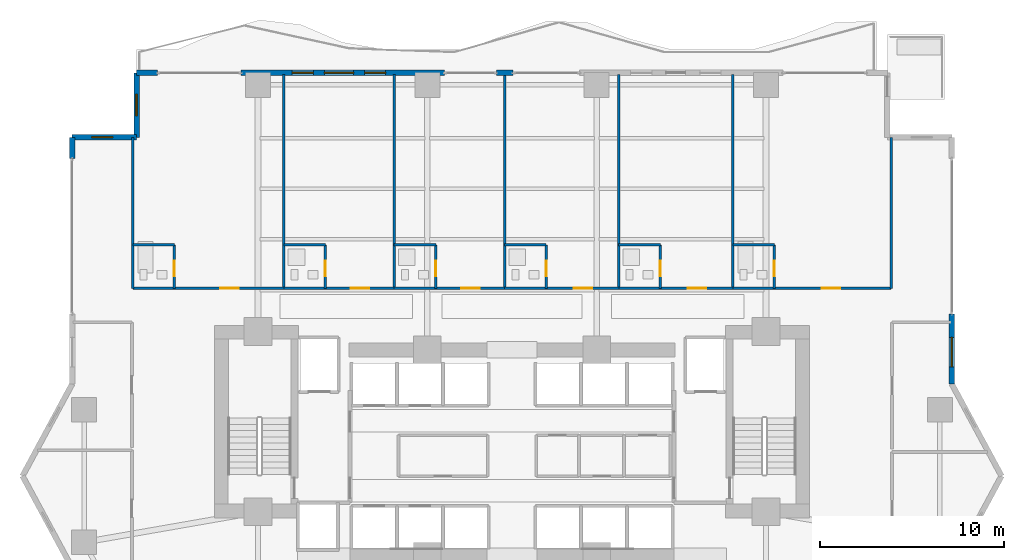
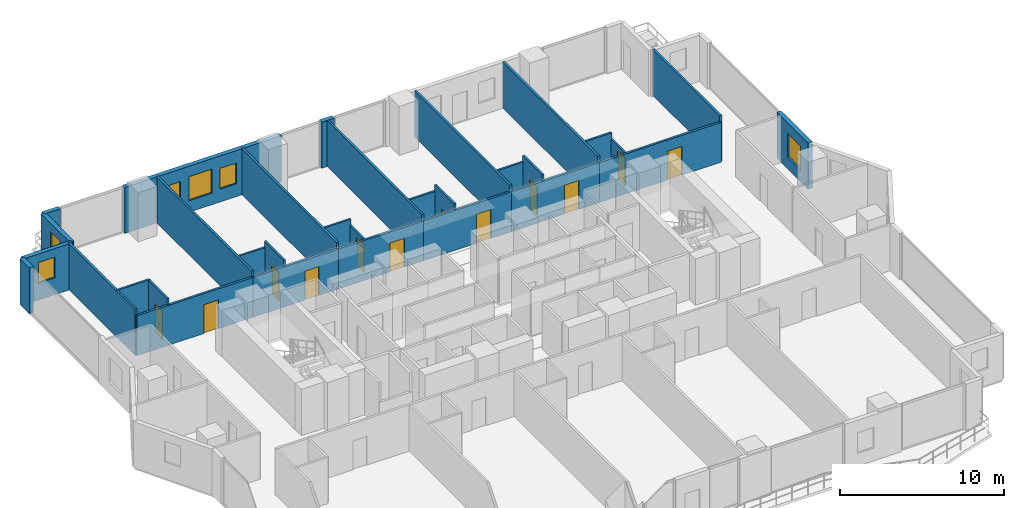
# One storey, part 23 of 28: 32 walls, 12 doors, 6 windows, 18 openings.
"""IFC4 building model written with IfcOpenShell, lengths in metres."""

from ifc_helpers import new_model, si_unit, direction, frame, frame_2d, origin, place, context, subcontext, project, spatial, rectangle, extrude, material, layer, layer_set, type_object, element, fill, save


model = new_model("IFC4")

# Units and contexts
model_context = context("Model", 3, precision=1e-05, world=origin(), true_north=direction((0.0, 1.0)))
body_context = subcontext(model_context, "Body", "Model", "MODEL_VIEW")
ifc_project = project(units=[si_unit("LENGTHUNIT", "METRE"), si_unit("AREAUNIT", "SQUARE_METRE"), si_unit("VOLUMEUNIT", "CUBIC_METRE"), si_unit("PLANEANGLEUNIT", "RADIAN"), si_unit("MASSUNIT", "GRAM", prefix="KILO")], contexts=[model_context])

# Site, building, storey
site_placement = place(None, origin())
site = spatial("IfcSite", under=ifc_project, at=site_placement, CompositionType="ELEMENT")
building_placement = place(site_placement, origin())
building = spatial("IfcBuilding", under=site, at=building_placement, Name="Zuhayl Quay Hotel", CompositionType="ELEMENT")
storey_placement = place(building_placement, frame((0.0, 0.0, 99.300048828125)))
storey = spatial("IfcBuildingStorey", under=building, at=storey_placement, Name="L24", CompositionType="ELEMENT", Elevation=99.300048828125)

# Wall
ifc_material_1 = material(Name="Precast concrete C45/55", Category="concrete")
ifc_layer_1 = layer(ifc_material_1, 0.300048828125, Name="Precast concrete C45/55", Category="concrete")
ifc_layer_set_1 = layer_set([ifc_layer_1], Name="Precast concrete C45/55")
wall_type_1 = type_object("IfcWallType", Name="WL_EXT_300", PredefinedType="STANDARD", material=ifc_layer_set_1)
wall_1_placement = place(storey_placement, frame((-23.89990234375, 23.75, 0.0), z_axis=(0.0, 0.0, 1.0), x_axis=(0.0, 1.0, 0.0)))
element("IfcWall", 1, at=wall_1_placement, inside=storey, type_object=wall_type_1, Name="L24 Exterior Precast Wall ENV_L24_E05_EW2", PredefinedType="STANDARD", context=body_context, shape_type="SweptSolid", body=[
    extrude(rectangle(XDim=1.14990234375, YDim=0.300048828125, at=frame_2d((0.574951171875, 0.0))), origin(), (0.0, 0.0, 1.0), 3.429931640625),
])

# Wall, opening, window
wall_2_placement = place(storey_placement, frame((-23.89990234375, 24.89990234375, 0.0), z_axis=(0.0, 0.0, 1.0), x_axis=(1.0, 0.0, 0.0)))
wall_2 = element("IfcWall", 2, at=wall_2_placement, inside=storey, type_object=wall_type_1, Name="L24 Exterior Precast Wall ENV_L24_EW06", PredefinedType="STANDARD", context=body_context, shape_type="SweptSolid", body=[
    extrude(rectangle(XDim=3.5, YDim=0.300048828125, at=frame_2d((1.75, 0.0))), origin(), (0.0, 0.0, 1.0), 3.429931640625),
])
opening_1_placement = place(wall_2_placement, frame((1.06494140625, 0.0, 1.25)))
opening_1 = element("IfcOpeningElement", 3, at=opening_1_placement, cuts=wall_2, Name="Opening W01N", PredefinedType="OPENING", context=body_context, shape_type="SweptSolid", body=[
    extrude(rectangle(XDim=1.14990234375, YDim=1.550048828125, at=frame_2d((0.574951171875, 0.77490234375))), frame((0.0, 0.159912109375, 0.0), z_axis=(0.0, -1.0, 0.0), x_axis=(1.0, 0.0, 0.0)), (0.0, 0.0, 1.0), 0.320068359375),
])
ifc_material_2 = material(Name="Dark Ceramic-Fritted Solar Glass", Category="glass")
window_type_1 = type_object("IfcWindowType", Name="WN_NOTCH_1350", PartitioningType="SINGLE_PANEL", PredefinedType="WINDOW", material=ifc_material_2)
window_1_placement = place(opening_1_placement, origin())
window_1 = element("IfcWindow", 4, at=window_1_placement, inside=storey, type_object=window_type_1, Name="L24 Corner Notch Window 6", OverallHeight=1.550048828125, OverallWidth=1.14990234375, PartitioningType="SINGLE_PANEL", PredefinedType="WINDOW", context=body_context, shape_type="SweptSolid", body=[
    extrude(rectangle(XDim=1.14990234375, YDim=1.550048828125, at=frame_2d((0.574951171875, 0.77490234375))), frame((0.0, 0.030029296875, 0.0), z_axis=(0.0, -1.0, 0.0), x_axis=(1.0, 0.0, 0.0)), (0.0, 0.0, 1.0), 0.06005859375),
])
fill(opening_1, window_1)

wall_3_placement = place(storey_placement, frame((-20.39990234375, 24.89990234375, 0.0), z_axis=(0.0, 0.0, 1.0), x_axis=(0.0, 1.0, 0.0)))
wall_3 = element("IfcWall", 5, at=wall_3_placement, inside=storey, type_object=wall_type_1, Name="L24 Exterior Precast Wall ENV_L24_EW07", PredefinedType="STANDARD", context=body_context, shape_type="SweptSolid", body=[
    extrude(rectangle(XDim=3.5, YDim=0.300048828125, at=frame_2d((1.75, 0.0))), origin(), (0.0, 0.0, 1.0), 3.429931640625),
])
opening_2_placement = place(wall_3_placement, frame((1.18505859375, 0.0, 1.25)))
opening_2 = element("IfcOpeningElement", 6, at=opening_2_placement, cuts=wall_3, Name="Opening W01N", PredefinedType="OPENING", context=body_context, shape_type="SweptSolid", body=[
    extrude(rectangle(XDim=1.14990234375, YDim=1.550048828125, at=frame_2d((0.574951171875, 0.77490234375))), frame((0.0, 0.159912109375, 0.0), z_axis=(0.0, -1.0, 0.0), x_axis=(1.0, 0.0, 0.0)), (0.0, 0.0, 1.0), 0.320068359375),
])
window_2_placement = place(opening_2_placement, origin())
window_2 = element("IfcWindow", 7, at=window_2_placement, inside=storey, type_object=window_type_1, Name="L24 Corner Notch Window 7", OverallHeight=1.550048828125, OverallWidth=1.14990234375, PartitioningType="SINGLE_PANEL", PredefinedType="WINDOW", context=body_context, shape_type="SweptSolid", body=[
    extrude(rectangle(XDim=1.14990234375, YDim=1.550048828125, at=frame_2d((0.574951171875, 0.77490234375))), frame((0.0, 0.030029296875, 0.0), z_axis=(0.0, -1.0, 0.0), x_axis=(1.0, 0.0, 0.0)), (0.0, 0.0, 1.0), 0.06005859375),
])
fill(opening_2, window_2)

# Wall
wall_4_placement = place(storey_placement, frame((-20.39990234375, 28.39990234375, 0.0), z_axis=(0.0, 0.0, 1.0), x_axis=(1.0, 0.0, 0.0)))
element("IfcWall", 8, at=wall_4_placement, inside=storey, type_object=wall_type_1, Name="L24 Exterior Precast Wall ENV_L24_N_EW1", PredefinedType="STANDARD", context=body_context, shape_type="SweptSolid", body=[
    extrude(rectangle(XDim=1.14990234375, YDim=0.300048828125, at=frame_2d((0.574951171875, 0.0))), origin(), (0.0, 0.0, 1.0), 3.429931640625),
])

# Wall, openings, windows
wall_5_placement = place(storey_placement, frame((-14.719970703125, 28.39990234375, 0.0), z_axis=(0.0, 0.0, 1.0), x_axis=(1.0, 0.0, 0.0)))
wall_5 = element("IfcWall", 9, at=wall_5_placement, inside=storey, type_object=wall_type_1, Name="L24 Exterior Precast Wall ENV_L24_N_EW2", PredefinedType="STANDARD", context=body_context, shape_type="SweptSolid", body=[
    extrude(rectangle(XDim=11.0400390625, YDim=0.300048828125, at=frame_2d((5.52001953125, 0.0))), origin(), (0.0, 0.0, 1.0), 3.429931640625),
])
opening_3_placement = place(wall_5_placement, frame((4.52001953125, 0.0, 0.85009765625)))
opening_3 = element("IfcOpeningElement", 10, at=opening_3_placement, cuts=wall_5, Name="Opening W01", PredefinedType="OPENING", context=body_context, shape_type="SweptSolid", body=[
    extrude(rectangle(XDim=1.60009765625, YDim=1.800048828125, at=frame_2d((0.800048828125, 0.89990234375))), frame((0.0, 0.159912109375, 0.0), z_axis=(0.0, -1.0, 0.0), x_axis=(1.0, 0.0, 0.0)), (0.0, 0.0, 1.0), 0.320068359375),
])
opening_4_placement = place(wall_5_placement, frame((2.780029296875, 0.0, 0.949951171875)))
opening_4 = element("IfcOpeningElement", 11, at=opening_4_placement, cuts=wall_5, Name="Opening W01N", PredefinedType="OPENING", context=body_context, shape_type="SweptSolid", body=[
    extrude(rectangle(XDim=1.14990234375, YDim=1.550048828125, at=frame_2d((0.574951171875, 0.77490234375))), frame((0.0, 0.159912109375, 0.0), z_axis=(0.0, -1.0, 0.0), x_axis=(1.0, 0.0, 0.0)), (0.0, 0.0, 1.0), 0.320068359375),
])
opening_5_placement = place(wall_5_placement, frame((6.7099609375, 0.0, 0.949951171875)))
opening_5 = element("IfcOpeningElement", 12, at=opening_5_placement, cuts=wall_5, Name="Opening W01N", PredefinedType="OPENING", context=body_context, shape_type="SweptSolid", body=[
    extrude(rectangle(XDim=1.14990234375, YDim=1.550048828125, at=frame_2d((0.574951171875, 0.77490234375))), frame((0.0, 0.159912109375, 0.0), z_axis=(0.0, -1.0, 0.0), x_axis=(1.0, 0.0, 0.0)), (0.0, 0.0, 1.0), 0.320068359375),
])
window_3_placement = place(opening_4_placement, origin())
window_3 = element("IfcWindow", 13, at=window_3_placement, inside=storey, type_object=window_type_1, Name="L24 Operable Facade Window 2-1", OverallHeight=1.550048828125, OverallWidth=1.14990234375, PartitioningType="SINGLE_PANEL", PredefinedType="WINDOW", context=body_context, shape_type="SweptSolid", body=[
    extrude(rectangle(XDim=1.14990234375, YDim=1.550048828125, at=frame_2d((0.574951171875, 0.77490234375))), frame((0.0, 0.030029296875, 0.0), z_axis=(0.0, -1.0, 0.0), x_axis=(1.0, 0.0, 0.0)), (0.0, 0.0, 1.0), 0.06005859375),
])
fill(opening_4, window_3)
window_4_placement = place(opening_5_placement, origin())
window_4 = element("IfcWindow", 14, at=window_4_placement, inside=storey, type_object=window_type_1, Name="L24 Operable Facade Window 2-2", OverallHeight=1.550048828125, OverallWidth=1.14990234375, PartitioningType="SINGLE_PANEL", PredefinedType="WINDOW", context=body_context, shape_type="SweptSolid", body=[
    extrude(rectangle(XDim=1.14990234375, YDim=1.550048828125, at=frame_2d((0.574951171875, 0.77490234375))), frame((0.0, 0.030029296875, 0.0), z_axis=(0.0, -1.0, 0.0), x_axis=(1.0, 0.0, 0.0)), (0.0, 0.0, 1.0), 0.06005859375),
])
fill(opening_5, window_4)
window_type_2 = type_object("IfcWindowType", Name="WN_OPERABLE_1600", PartitioningType="DOUBLE_PANEL_VERTICAL", PredefinedType="WINDOW", material=ifc_material_2)
window_5_placement = place(opening_3_placement, origin())
window_5 = element("IfcWindow", 15, at=window_5_placement, inside=storey, type_object=window_type_2, Name="L24 North Operable Casement Window", OverallHeight=1.800048828125, OverallWidth=1.60009765625, PartitioningType="SINGLE_PANEL", PredefinedType="WINDOW", context=body_context, shape_type="SweptSolid", body=[
    extrude(rectangle(XDim=1.60009765625, YDim=1.800048828125, at=frame_2d((0.800048828125, 0.89990234375))), frame((0.0, 0.030029296875, 0.0), z_axis=(0.0, -1.0, 0.0), x_axis=(1.0, 0.0, 0.0)), (0.0, 0.0, 1.0), 0.06005859375),
])
fill(opening_3, window_5)

# Wall
wall_6_placement = place(storey_placement, frame((-0.85009765625, 28.39990234375, 0.0), z_axis=(0.0, 0.0, 1.0), x_axis=(1.0, 0.0, 0.0)))
element("IfcWall", 16, at=wall_6_placement, inside=storey, type_object=wall_type_1, Name="L24 Exterior Precast Wall ENV_L24_N_EW3", PredefinedType="STANDARD", context=body_context, shape_type="SweptSolid", body=[
    extrude(rectangle(XDim=0.900146484375, YDim=0.300048828125, at=frame_2d((0.4501953125, 0.0))), origin(), (0.0, 0.0, 1.0), 3.429931640625),
])

# Wall, opening, window
wall_7_placement = place(storey_placement, frame((23.89990234375, 15.300048828125, 0.0), z_axis=(0.0, 0.0, 1.0), x_axis=(0.0, -1.0, 0.0)))
wall_7 = element("IfcWall", 17, at=wall_7_placement, inside=storey, type_object=wall_type_1, Name="L24 Exterior Precast Wall ENV_L24_E11_EW2", PredefinedType="STANDARD", context=body_context, shape_type="SweptSolid", body=[
    extrude(rectangle(XDim=3.800048828125, YDim=0.300048828125, at=frame_2d((1.89990234375, 0.0))), origin(), (0.0, 0.0, 1.0), 3.429931640625),
])
opening_6_placement = place(wall_7_placement, frame((1.264892578125, 0.0, 0.85009765625)))
opening_6 = element("IfcOpeningElement", 18, at=opening_6_placement, cuts=wall_7, Name="Opening W01", PredefinedType="OPENING", context=body_context, shape_type="SweptSolid", body=[
    extrude(rectangle(XDim=1.60009765625, YDim=1.800048828125, at=frame_2d((0.800048828125, 0.89990234375))), frame((0.0, 0.159912109375, 0.0), z_axis=(0.0, -1.0, 0.0), x_axis=(1.0, 0.0, 0.0)), (0.0, 0.0, 1.0), 0.320068359375),
])
window_6_placement = place(opening_6_placement, origin())
window_6 = element("IfcWindow", 19, at=window_6_placement, inside=storey, type_object=window_type_2, Name="L24 Operable Facade Window 2-1", OverallHeight=1.800048828125, OverallWidth=1.60009765625, PartitioningType="SINGLE_PANEL", PredefinedType="WINDOW", context=body_context, shape_type="SweptSolid", body=[
    extrude(rectangle(XDim=1.60009765625, YDim=1.800048828125, at=frame_2d((0.800048828125, 0.89990234375))), frame((0.0, 0.030029296875, 0.0), z_axis=(0.0, -1.0, 0.0), x_axis=(1.0, 0.0, 0.0)), (0.0, 0.0, 1.0), 0.06005859375),
])
fill(opening_6, window_6)

# Walls
ifc_material_3 = material(Name="Acoustic Gypsum Partition STC-58")
ifc_layer_2 = layer(ifc_material_3, 0.14990234375, Name="Acoustic Gypsum Partition STC-58")
ifc_layer_set_2 = layer_set([ifc_layer_2], Name="Acoustic Gypsum Partition STC-58")
wall_type_2 = type_object("IfcWallType", Name="WL_PART_150", PredefinedType="PARTITIONING", material=ifc_layer_set_2)
wall_8_placement = place(storey_placement, frame((-20.60009765625, 16.699951171875, 0.0), z_axis=(0.0, 0.0, 1.0), x_axis=(0.0, 1.0, 0.0)))
element("IfcWall", 20, at=wall_8_placement, inside=storey, type_object=wall_type_2, Name="L24 Partition IW_L24_NU01_W", PredefinedType="PARTITIONING", context=body_context, shape_type="SweptSolid", body=[
    extrude(rectangle(XDim=8.199951171875, YDim=0.14990234375, at=frame_2d((4.10009765625, 0.0))), origin(), (0.0, 0.0, 1.0), 3.429931640625),
])
for number, where, z_axis, x_axis, name in (
    (21, (-12.39990234375, 16.699951171875, 0.0), (0.0, 0.0, 1.0), (0.0, 1.0, 0.0), "L24 Partition IW_L24_NU01_E"),
    (22, (-6.39990234375, 16.699951171875, 0.0), (0.0, 0.0, 1.0), (0.0, 1.0, 0.0), "L24 Partition IW_L24_NU02_E"),
    (23, (-0.39990234375, 16.699951171875, 0.0), (0.0, 0.0, 1.0), (0.0, 1.0, 0.0), "L24 Partition IW_L24_NU03_E"),
    (24, (5.800048828125, 16.699951171875, 0.0), (0.0, 0.0, 1.0), (0.0, 1.0, 0.0), "L24 Partition IW_L24_NU04_E"),
    (25, (12.0, 16.699951171875, 0.0), (0.0, 0.0, 1.0), (0.0, 1.0, 0.0), "L24 Partition IW_L24_NU05_E"),
):
    element("IfcWall", number, at=place(storey_placement, frame(where, z_axis=z_axis, x_axis=x_axis)), inside=storey, type_object=wall_type_2, Name=name, PredefinedType="PARTITIONING", context=body_context, shape_type="SweptSolid", body=[
        extrude(rectangle(XDim=11.6201171875, YDim=0.14990234375, at=frame_2d((5.81005859375, 0.0))), origin(), (0.0, 0.0, 1.0), 3.429931640625),
    ])
wall_9_placement = place(storey_placement, frame((20.60009765625, 16.699951171875, 0.0), z_axis=(0.0, 0.0, 1.0), x_axis=(0.0, 1.0, 0.0)))
element("IfcWall", 26, at=wall_9_placement, inside=storey, type_object=wall_type_2, Name="L24 Partition IW_L24_NU06_E", PredefinedType="PARTITIONING", context=body_context, shape_type="SweptSolid", body=[
    extrude(rectangle(XDim=8.199951171875, YDim=0.14990234375, at=frame_2d((4.10009765625, 0.0))), origin(), (0.0, 0.0, 1.0), 3.429931640625),
])

# Wall, opening, door
ifc_layer_3 = layer(ifc_material_3, 0.159912109375, Name="Acoustic Gypsum Partition STC-58")
ifc_layer_set_3 = layer_set([ifc_layer_3], Name="Acoustic Gypsum Partition STC-58")
wall_type_3 = type_object("IfcWallType", Name="WL_PART_CORR_160", PredefinedType="PARTITIONING", material=ifc_layer_set_3)
wall_10_placement = place(storey_placement, frame((-20.60009765625, 16.699951171875, 0.0), z_axis=(0.0, 0.0, 1.0), x_axis=(1.0, 0.0, 0.0)))
wall_10 = element("IfcWall", 27, at=wall_10_placement, inside=storey, type_object=wall_type_3, Name="L24 Partition IW_L24_NU01_COR", PredefinedType="PARTITIONING", context=body_context, shape_type="SweptSolid", body=[
    extrude(rectangle(XDim=8.2001953125, YDim=0.159912109375, at=frame_2d((4.10009765625, 0.0))), origin(), (0.0, 0.0, 1.0), 2.972900390625),
])
opening_7_placement = place(wall_10_placement, frame((4.75, 0.0, 0.0)))
opening_7 = element("IfcOpeningElement", 28, at=opening_7_placement, cuts=wall_10, Name="Opening D03L", PredefinedType="OPENING", context=body_context, shape_type="SweptSolid", body=[
    extrude(rectangle(XDim=1.0, YDim=2.14990234375, at=frame_2d((0.5, 1.074951171875))), frame((0.0, 0.08984375, 0.0), z_axis=(0.0, -1.0, 0.0), x_axis=(1.0, 0.0, 0.0)), (0.0, 0.0, 1.0), 0.179931640625),
])
ifc_material_4 = material(Name="Solid Walnut Acoustic Fire Door")
door_type_1 = type_object("IfcDoorType", Name="DR_SUITE_1000", OperationType="NOTDEFINED", PredefinedType="DOOR", material=ifc_material_4)
door_1_placement = place(opening_7_placement, origin())
door_1 = element("IfcDoor", 29, at=door_1_placement, inside=storey, type_object=door_type_1, Name="L24 Executive Suite L24-01 Entrance Door", OperationType="SINGLE_SWING_LEFT", OverallHeight=2.14990234375, OverallWidth=1.0, PredefinedType="DOOR", context=body_context, shape_type="SweptSolid", body=[
    extrude(rectangle(XDim=1.0, YDim=2.14990234375, at=frame_2d((0.5, 1.074951171875))), frame((0.0, 0.02490234375, 0.0), z_axis=(0.0, -1.0, 0.0), x_axis=(1.0, 0.0, 0.0)), (0.0, 0.0, 1.0), 0.050048828125),
])
fill(opening_7, door_1)

wall_11_placement = place(storey_placement, frame((-12.39990234375, 16.699951171875, 0.0), z_axis=(0.0, 0.0, 1.0), x_axis=(1.0, 0.0, 0.0)))
wall_11 = element("IfcWall", 30, at=wall_11_placement, inside=storey, type_object=wall_type_3, Name="L24 Partition IW_L24_NU02_COR", PredefinedType="PARTITIONING", context=body_context, shape_type="SweptSolid", body=[
    extrude(rectangle(XDim=6.0, YDim=0.159912109375, at=frame_2d((3.0, 0.0))), origin(), (0.0, 0.0, 1.0), 2.972900390625),
])
opening_8_placement = place(wall_11_placement, frame((3.64990234375, 0.0, 0.0)))
opening_8 = element("IfcOpeningElement", 31, at=opening_8_placement, cuts=wall_11, Name="Opening D03L", PredefinedType="OPENING", context=body_context, shape_type="SweptSolid", body=[
    extrude(rectangle(XDim=1.0, YDim=2.14990234375, at=frame_2d((0.5, 1.074951171875))), frame((0.0, 0.08984375, 0.0), z_axis=(0.0, -1.0, 0.0), x_axis=(1.0, 0.0, 0.0)), (0.0, 0.0, 1.0), 0.179931640625),
])
door_2_placement = place(opening_8_placement, origin())
door_2 = element("IfcDoor", 32, at=door_2_placement, inside=storey, type_object=door_type_1, Name="L24 Executive Suite L24-02 Entrance Door", OperationType="SINGLE_SWING_LEFT", OverallHeight=2.14990234375, OverallWidth=1.0, PredefinedType="DOOR", context=body_context, shape_type="SweptSolid", body=[
    extrude(rectangle(XDim=1.0, YDim=2.14990234375, at=frame_2d((0.5, 1.074951171875))), frame((0.0, 0.02490234375, 0.0), z_axis=(0.0, -1.0, 0.0), x_axis=(1.0, 0.0, 0.0)), (0.0, 0.0, 1.0), 0.050048828125),
])
fill(opening_8, door_2)

wall_12_placement = place(storey_placement, frame((-6.39990234375, 16.699951171875, 0.0), z_axis=(0.0, 0.0, 1.0), x_axis=(1.0, 0.0, 0.0)))
wall_12 = element("IfcWall", 33, at=wall_12_placement, inside=storey, type_object=wall_type_3, Name="L24 Partition IW_L24_NU03_COR", PredefinedType="PARTITIONING", context=body_context, shape_type="SweptSolid", body=[
    extrude(rectangle(XDim=6.0, YDim=0.159912109375, at=frame_2d((3.0, 0.0))), origin(), (0.0, 0.0, 1.0), 2.972900390625),
])
opening_9_placement = place(wall_12_placement, frame((3.64990234375, 0.0, 0.0)))
opening_9 = element("IfcOpeningElement", 34, at=opening_9_placement, cuts=wall_12, Name="Opening D03L", PredefinedType="OPENING", context=body_context, shape_type="SweptSolid", body=[
    extrude(rectangle(XDim=1.0, YDim=2.14990234375, at=frame_2d((0.5, 1.074951171875))), frame((0.0, 0.08984375, 0.0), z_axis=(0.0, -1.0, 0.0), x_axis=(1.0, 0.0, 0.0)), (0.0, 0.0, 1.0), 0.179931640625),
])
door_3_placement = place(opening_9_placement, origin())
door_3 = element("IfcDoor", 35, at=door_3_placement, inside=storey, type_object=door_type_1, Name="L24 Executive Suite L24-03 Entrance Door", OperationType="SINGLE_SWING_LEFT", OverallHeight=2.14990234375, OverallWidth=1.0, PredefinedType="DOOR", context=body_context, shape_type="SweptSolid", body=[
    extrude(rectangle(XDim=1.0, YDim=2.14990234375, at=frame_2d((0.5, 1.074951171875))), frame((0.0, 0.02490234375, 0.0), z_axis=(0.0, -1.0, 0.0), x_axis=(1.0, 0.0, 0.0)), (0.0, 0.0, 1.0), 0.050048828125),
])
fill(opening_9, door_3)

wall_13_placement = place(storey_placement, frame((-0.39990234375, 16.699951171875, 0.0), z_axis=(0.0, 0.0, 1.0), x_axis=(1.0, 0.0, 0.0)))
wall_13 = element("IfcWall", 36, at=wall_13_placement, inside=storey, type_object=wall_type_3, Name="L24 Partition IW_L24_NU04_COR", PredefinedType="PARTITIONING", context=body_context, shape_type="SweptSolid", body=[
    extrude(rectangle(XDim=6.199951171875, YDim=0.159912109375, at=frame_2d((3.10009765625, 0.0))), origin(), (0.0, 0.0, 1.0), 2.972900390625),
])
opening_10_placement = place(wall_13_placement, frame((3.75, 0.0, 0.0)))
opening_10 = element("IfcOpeningElement", 37, at=opening_10_placement, cuts=wall_13, Name="Opening D03L", PredefinedType="OPENING", context=body_context, shape_type="SweptSolid", body=[
    extrude(rectangle(XDim=1.0, YDim=2.14990234375, at=frame_2d((0.5, 1.074951171875))), frame((0.0, 0.08984375, 0.0), z_axis=(0.0, -1.0, 0.0), x_axis=(1.0, 0.0, 0.0)), (0.0, 0.0, 1.0), 0.179931640625),
])
door_4_placement = place(opening_10_placement, origin())
door_4 = element("IfcDoor", 38, at=door_4_placement, inside=storey, type_object=door_type_1, Name="L24 Executive Suite L24-04 Entrance Door", OperationType="SINGLE_SWING_LEFT", OverallHeight=2.14990234375, OverallWidth=1.0, PredefinedType="DOOR", context=body_context, shape_type="SweptSolid", body=[
    extrude(rectangle(XDim=1.0, YDim=2.14990234375, at=frame_2d((0.5, 1.074951171875))), frame((0.0, 0.02490234375, 0.0), z_axis=(0.0, -1.0, 0.0), x_axis=(1.0, 0.0, 0.0)), (0.0, 0.0, 1.0), 0.050048828125),
])
fill(opening_10, door_4)

wall_14_placement = place(storey_placement, frame((5.800048828125, 16.699951171875, 0.0), z_axis=(0.0, 0.0, 1.0), x_axis=(1.0, 0.0, 0.0)))
wall_14 = element("IfcWall", 39, at=wall_14_placement, inside=storey, type_object=wall_type_3, Name="L24 Partition IW_L24_NU05_COR", PredefinedType="PARTITIONING", context=body_context, shape_type="SweptSolid", body=[
    extrude(rectangle(XDim=6.199951171875, YDim=0.159912109375, at=frame_2d((3.10009765625, 0.0))), origin(), (0.0, 0.0, 1.0), 2.972900390625),
])
opening_11_placement = place(wall_14_placement, frame((3.75, 0.0, 0.0)))
opening_11 = element("IfcOpeningElement", 40, at=opening_11_placement, cuts=wall_14, Name="Opening D03L", PredefinedType="OPENING", context=body_context, shape_type="SweptSolid", body=[
    extrude(rectangle(XDim=1.0, YDim=2.14990234375, at=frame_2d((0.5, 1.074951171875))), frame((0.0, 0.08984375, 0.0), z_axis=(0.0, -1.0, 0.0), x_axis=(1.0, 0.0, 0.0)), (0.0, 0.0, 1.0), 0.179931640625),
])
door_5_placement = place(opening_11_placement, origin())
door_5 = element("IfcDoor", 41, at=door_5_placement, inside=storey, type_object=door_type_1, Name="L24 Executive Suite L24-05 Entrance Door", OperationType="SINGLE_SWING_LEFT", OverallHeight=2.14990234375, OverallWidth=1.0, PredefinedType="DOOR", context=body_context, shape_type="SweptSolid", body=[
    extrude(rectangle(XDim=1.0, YDim=2.14990234375, at=frame_2d((0.5, 1.074951171875))), frame((0.0, 0.02490234375, 0.0), z_axis=(0.0, -1.0, 0.0), x_axis=(1.0, 0.0, 0.0)), (0.0, 0.0, 1.0), 0.050048828125),
])
fill(opening_11, door_5)

wall_15_placement = place(storey_placement, frame((12.0, 16.699951171875, 0.0), z_axis=(0.0, 0.0, 1.0), x_axis=(1.0, 0.0, 0.0)))
wall_15 = element("IfcWall", 42, at=wall_15_placement, inside=storey, type_object=wall_type_3, Name="L24 Partition IW_L24_NU06_COR", PredefinedType="PARTITIONING", context=body_context, shape_type="SweptSolid", body=[
    extrude(rectangle(XDim=8.60009765625, YDim=0.159912109375, at=frame_2d((4.300048828125, 0.0))), origin(), (0.0, 0.0, 1.0), 2.972900390625),
])
opening_12_placement = place(wall_15_placement, frame((4.824951171875, 0.0, 0.0)))
opening_12 = element("IfcOpeningElement", 43, at=opening_12_placement, cuts=wall_15, Name="Opening D03L", PredefinedType="OPENING", context=body_context, shape_type="SweptSolid", body=[
    extrude(rectangle(XDim=1.0, YDim=2.14990234375, at=frame_2d((0.5, 1.074951171875))), frame((0.0, 0.08984375, 0.0), z_axis=(0.0, -1.0, 0.0), x_axis=(1.0, 0.0, 0.0)), (0.0, 0.0, 1.0), 0.179931640625),
])
door_6_placement = place(opening_12_placement, origin())
door_6 = element("IfcDoor", 44, at=door_6_placement, inside=storey, type_object=door_type_1, Name="L24 Executive Suite L24-06 Entrance Door", OperationType="SINGLE_SWING_LEFT", OverallHeight=2.14990234375, OverallWidth=1.0, PredefinedType="DOOR", context=body_context, shape_type="SweptSolid", body=[
    extrude(rectangle(XDim=1.0, YDim=2.14990234375, at=frame_2d((0.5, 1.074951171875))), frame((0.0, 0.02490234375, 0.0), z_axis=(0.0, -1.0, 0.0), x_axis=(1.0, 0.0, 0.0)), (0.0, 0.0, 1.0), 0.050048828125),
])
fill(opening_12, door_6)

ifc_material_5 = material(Name="Moisture-Resistant Sanitarychase Gypsum")
ifc_layer_4 = layer(ifc_material_5, 0.135009765625, Name="Moisture-Resistant Sanitarychase Gypsum")
ifc_layer_set_4 = layer_set([ifc_layer_4], Name="Moisture-Resistant Sanitarychase Gypsum")
wall_type_4 = type_object("IfcWallType", Name="WL_PART_PLUMB_150", PredefinedType="PLUMBINGWALL", material=ifc_layer_set_4)
wall_16_placement = place(storey_placement, frame((-18.340087890625, 16.699951171875, 0.0), z_axis=(0.0, 0.0, 1.0), x_axis=(0.0, 1.0, 0.0)))
wall_16 = element("IfcWall", 45, at=wall_16_placement, inside=storey, type_object=wall_type_4, Name="L24 Partition IW_L24_NU01_BE", PredefinedType="PLUMBINGWALL", context=body_context, shape_type="SweptSolid", body=[
    extrude(rectangle(XDim=2.360107421875, YDim=0.135009765625, at=frame_2d((1.18017578125, 0.0))), origin(), (0.0, 0.0, 1.0), 3.429931640625),
])
opening_13_placement = place(wall_16_placement, frame((0.64990234375, 0.0, 0.0)))
opening_13 = element("IfcOpeningElement", 46, at=opening_13_placement, cuts=wall_16, Name="Opening D04", PredefinedType="OPENING", context=body_context, shape_type="SweptSolid", body=[
    extrude(rectangle(XDim=0.85009765625, YDim=2.10009765625, at=frame_2d((0.425048828125, 1.050048828125))), frame((0.0, 0.077392578125, 0.0), z_axis=(0.0, -1.0, 0.0), x_axis=(1.0, 0.0, 0.0)), (0.0, 0.0, 1.0), 0.155029296875),
])
ifc_material_6 = material(Name="Moisture-Resistant Walnut Veneer")
door_type_2 = type_object("IfcDoorType", Name="DR_BATH_850", OperationType="NOTDEFINED", PredefinedType="DOOR", material=ifc_material_6)
door_7_placement = place(opening_13_placement, origin())
door_7 = element("IfcDoor", 47, at=door_7_placement, inside=storey, type_object=door_type_2, Name="L24 Executive Suite L24-01 En-Suite Door", OperationType="SINGLE_SWING_RIGHT", OverallHeight=2.10009765625, OverallWidth=0.85009765625, PredefinedType="DOOR", context=body_context, shape_type="SweptSolid", body=[
    extrude(rectangle(XDim=0.85009765625, YDim=2.10009765625, at=frame_2d((0.425048828125, 1.050048828125))), frame((0.0, 0.02490234375, 0.0), z_axis=(0.0, -1.0, 0.0), x_axis=(1.0, 0.0, 0.0)), (0.0, 0.0, 1.0), 0.050048828125),
])
fill(opening_13, door_7)

wall_17_placement = place(storey_placement, frame((-10.139892578125, 16.699951171875, 0.0), z_axis=(0.0, 0.0, 1.0), x_axis=(0.0, 1.0, 0.0)))
wall_17 = element("IfcWall", 48, at=wall_17_placement, inside=storey, type_object=wall_type_4, Name="L24 Partition IW_L24_NU02_BE", PredefinedType="PLUMBINGWALL", context=body_context, shape_type="SweptSolid", body=[
    extrude(rectangle(XDim=2.360107421875, YDim=0.135009765625, at=frame_2d((1.18017578125, 0.0))), origin(), (0.0, 0.0, 1.0), 3.429931640625),
])
opening_14_placement = place(wall_17_placement, frame((0.64990234375, 0.0, 0.0)))
opening_14 = element("IfcOpeningElement", 49, at=opening_14_placement, cuts=wall_17, Name="Opening D04", PredefinedType="OPENING", context=body_context, shape_type="SweptSolid", body=[
    extrude(rectangle(XDim=0.85009765625, YDim=2.10009765625, at=frame_2d((0.425048828125, 1.050048828125))), frame((0.0, 0.077392578125, 0.0), z_axis=(0.0, -1.0, 0.0), x_axis=(1.0, 0.0, 0.0)), (0.0, 0.0, 1.0), 0.155029296875),
])
door_8_placement = place(opening_14_placement, origin())
door_8 = element("IfcDoor", 50, at=door_8_placement, inside=storey, type_object=door_type_2, Name="L24 Executive Suite L24-02 En-Suite Door", OperationType="SINGLE_SWING_RIGHT", OverallHeight=2.10009765625, OverallWidth=0.85009765625, PredefinedType="DOOR", context=body_context, shape_type="SweptSolid", body=[
    extrude(rectangle(XDim=0.85009765625, YDim=2.10009765625, at=frame_2d((0.425048828125, 1.050048828125))), frame((0.0, 0.02490234375, 0.0), z_axis=(0.0, -1.0, 0.0), x_axis=(1.0, 0.0, 0.0)), (0.0, 0.0, 1.0), 0.050048828125),
])
fill(opening_14, door_8)

wall_18_placement = place(storey_placement, frame((-4.139892578125, 16.699951171875, 0.0), z_axis=(0.0, 0.0, 1.0), x_axis=(0.0, 1.0, 0.0)))
wall_18 = element("IfcWall", 51, at=wall_18_placement, inside=storey, type_object=wall_type_4, Name="L24 Partition IW_L24_NU03_BE", PredefinedType="PLUMBINGWALL", context=body_context, shape_type="SweptSolid", body=[
    extrude(rectangle(XDim=2.360107421875, YDim=0.135009765625, at=frame_2d((1.18017578125, 0.0))), origin(), (0.0, 0.0, 1.0), 2.5029296875),
])
opening_15_placement = place(wall_18_placement, frame((0.64990234375, 0.0, 0.0)))
opening_15 = element("IfcOpeningElement", 52, at=opening_15_placement, cuts=wall_18, Name="Opening D04", PredefinedType="OPENING", context=body_context, shape_type="SweptSolid", body=[
    extrude(rectangle(XDim=0.85009765625, YDim=2.10009765625, at=frame_2d((0.425048828125, 1.050048828125))), frame((0.0, 0.077392578125, 0.0), z_axis=(0.0, -1.0, 0.0), x_axis=(1.0, 0.0, 0.0)), (0.0, 0.0, 1.0), 0.155029296875),
])
door_9_placement = place(opening_15_placement, origin())
door_9 = element("IfcDoor", 53, at=door_9_placement, inside=storey, type_object=door_type_2, Name="L24 Executive Suite L24-03 En-Suite Door", OperationType="SINGLE_SWING_RIGHT", OverallHeight=2.10009765625, OverallWidth=0.85009765625, PredefinedType="DOOR", context=body_context, shape_type="SweptSolid", body=[
    extrude(rectangle(XDim=0.85009765625, YDim=2.10009765625, at=frame_2d((0.425048828125, 1.050048828125))), frame((0.0, 0.02490234375, 0.0), z_axis=(0.0, -1.0, 0.0), x_axis=(1.0, 0.0, 0.0)), (0.0, 0.0, 1.0), 0.050048828125),
])
fill(opening_15, door_9)

wall_19_placement = place(storey_placement, frame((1.860107421875, 16.699951171875, 0.0), z_axis=(0.0, 0.0, 1.0), x_axis=(0.0, 1.0, 0.0)))
wall_19 = element("IfcWall", 54, at=wall_19_placement, inside=storey, type_object=wall_type_4, Name="L24 Partition IW_L24_NU04_BE", PredefinedType="PLUMBINGWALL", context=body_context, shape_type="SweptSolid", body=[
    extrude(rectangle(XDim=2.360107421875, YDim=0.135009765625, at=frame_2d((1.18017578125, 0.0))), origin(), (0.0, 0.0, 1.0), 3.429931640625),
])
opening_16_placement = place(wall_19_placement, frame((0.64990234375, 0.0, 0.0)))
opening_16 = element("IfcOpeningElement", 55, at=opening_16_placement, cuts=wall_19, Name="Opening D04", PredefinedType="OPENING", context=body_context, shape_type="SweptSolid", body=[
    extrude(rectangle(XDim=0.85009765625, YDim=2.10009765625, at=frame_2d((0.425048828125, 1.050048828125))), frame((0.0, 0.077392578125, 0.0), z_axis=(0.0, -1.0, 0.0), x_axis=(1.0, 0.0, 0.0)), (0.0, 0.0, 1.0), 0.155029296875),
])
door_10_placement = place(opening_16_placement, origin())
door_10 = element("IfcDoor", 56, at=door_10_placement, inside=storey, type_object=door_type_2, Name="L24 Executive Suite L24-04 En-Suite Door", OperationType="SINGLE_SWING_RIGHT", OverallHeight=2.10009765625, OverallWidth=0.85009765625, PredefinedType="DOOR", context=body_context, shape_type="SweptSolid", body=[
    extrude(rectangle(XDim=0.85009765625, YDim=2.10009765625, at=frame_2d((0.425048828125, 1.050048828125))), frame((0.0, 0.02490234375, 0.0), z_axis=(0.0, -1.0, 0.0), x_axis=(1.0, 0.0, 0.0)), (0.0, 0.0, 1.0), 0.050048828125),
])
fill(opening_16, door_10)

wall_20_placement = place(storey_placement, frame((8.06005859375, 16.699951171875, 0.0), z_axis=(0.0, 0.0, 1.0), x_axis=(0.0, 1.0, 0.0)))
wall_20 = element("IfcWall", 57, at=wall_20_placement, inside=storey, type_object=wall_type_4, Name="L24 Partition IW_L24_NU05_BE", PredefinedType="PLUMBINGWALL", context=body_context, shape_type="SweptSolid", body=[
    extrude(rectangle(XDim=2.360107421875, YDim=0.135009765625, at=frame_2d((1.18017578125, 0.0))), origin(), (0.0, 0.0, 1.0), 3.429931640625),
])
opening_17_placement = place(wall_20_placement, frame((0.64990234375, 0.0, 0.0)))
opening_17 = element("IfcOpeningElement", 58, at=opening_17_placement, cuts=wall_20, Name="Opening D04", PredefinedType="OPENING", context=body_context, shape_type="SweptSolid", body=[
    extrude(rectangle(XDim=0.85009765625, YDim=2.10009765625, at=frame_2d((0.425048828125, 1.050048828125))), frame((0.0, 0.077392578125, 0.0), z_axis=(0.0, -1.0, 0.0), x_axis=(1.0, 0.0, 0.0)), (0.0, 0.0, 1.0), 0.155029296875),
])
door_11_placement = place(opening_17_placement, origin())
door_11 = element("IfcDoor", 59, at=door_11_placement, inside=storey, type_object=door_type_2, Name="L24 Executive Suite L24-05 En-Suite Door", OperationType="SINGLE_SWING_RIGHT", OverallHeight=2.10009765625, OverallWidth=0.85009765625, PredefinedType="DOOR", context=body_context, shape_type="SweptSolid", body=[
    extrude(rectangle(XDim=0.85009765625, YDim=2.10009765625, at=frame_2d((0.425048828125, 1.050048828125))), frame((0.0, 0.02490234375, 0.0), z_axis=(0.0, -1.0, 0.0), x_axis=(1.0, 0.0, 0.0)), (0.0, 0.0, 1.0), 0.050048828125),
])
fill(opening_17, door_11)

wall_21_placement = place(storey_placement, frame((14.260009765625, 16.699951171875, 0.0), z_axis=(0.0, 0.0, 1.0), x_axis=(0.0, 1.0, 0.0)))
wall_21 = element("IfcWall", 60, at=wall_21_placement, inside=storey, type_object=wall_type_4, Name="L24 Partition IW_L24_NU06_BE", PredefinedType="PLUMBINGWALL", context=body_context, shape_type="SweptSolid", body=[
    extrude(rectangle(XDim=2.360107421875, YDim=0.135009765625, at=frame_2d((1.18017578125, 0.0))), origin(), (0.0, 0.0, 1.0), 2.5029296875),
])
opening_18_placement = place(wall_21_placement, frame((0.64990234375, 0.0, 0.0)))
opening_18 = element("IfcOpeningElement", 61, at=opening_18_placement, cuts=wall_21, Name="Opening D04", PredefinedType="OPENING", context=body_context, shape_type="SweptSolid", body=[
    extrude(rectangle(XDim=0.85009765625, YDim=2.10009765625, at=frame_2d((0.425048828125, 1.050048828125))), frame((0.0, 0.077392578125, 0.0), z_axis=(0.0, -1.0, 0.0), x_axis=(1.0, 0.0, 0.0)), (0.0, 0.0, 1.0), 0.155029296875),
])
door_12_placement = place(opening_18_placement, origin())
door_12 = element("IfcDoor", 62, at=door_12_placement, inside=storey, type_object=door_type_2, Name="L24 Executive Suite L24-06 En-Suite Door", OperationType="SINGLE_SWING_RIGHT", OverallHeight=2.10009765625, OverallWidth=0.85009765625, PredefinedType="DOOR", context=body_context, shape_type="SweptSolid", body=[
    extrude(rectangle(XDim=0.85009765625, YDim=2.10009765625, at=frame_2d((0.425048828125, 1.050048828125))), frame((0.0, 0.02490234375, 0.0), z_axis=(0.0, -1.0, 0.0), x_axis=(1.0, 0.0, 0.0)), (0.0, 0.0, 1.0), 0.050048828125),
])
fill(opening_18, door_12)

# Walls
wall_22_placement = place(storey_placement, frame((-20.60009765625, 19.06005859375, 0.0), z_axis=(0.0, 0.0, 1.0), x_axis=(1.0, 0.0, 0.0)))
element("IfcWall", 63, at=wall_22_placement, inside=storey, type_object=wall_type_4, Name="L24 Partition IW_L24_NU01_BN", PredefinedType="PLUMBINGWALL", context=body_context, shape_type="SweptSolid", body=[
    extrude(rectangle(XDim=2.260009765625, YDim=0.135009765625, at=frame_2d((1.1298828125, 0.0))), origin(), (0.0, 0.0, 1.0), 3.429931640625),
])
for number, where, z_axis, x_axis, name in (
    (64, (-12.39990234375, 19.06005859375, 0.0), (0.0, 0.0, 1.0), (1.0, 0.0, 0.0), "L24 Partition IW_L24_NU02_BN"),
    (65, (-6.39990234375, 19.06005859375, 0.0), (0.0, 0.0, 1.0), (1.0, 0.0, 0.0), "L24 Partition IW_L24_NU03_BN"),
    (66, (-0.39990234375, 19.06005859375, 0.0), (0.0, 0.0, 1.0), (1.0, 0.0, 0.0), "L24 Partition IW_L24_NU04_BN"),
    (67, (5.800048828125, 19.06005859375, 0.0), (0.0, 0.0, 1.0), (1.0, 0.0, 0.0), "L24 Partition IW_L24_NU05_BN"),
    (68, (12.0, 19.06005859375, 0.0), (0.0, 0.0, 1.0), (1.0, 0.0, 0.0), "L24 Partition IW_L24_NU06_BN"),
):
    element("IfcWall", number, at=place(storey_placement, frame(where, z_axis=z_axis, x_axis=x_axis)), inside=storey, type_object=wall_type_4, Name=name, PredefinedType="PLUMBINGWALL", context=body_context, shape_type="SweptSolid", body=[
        extrude(rectangle(XDim=2.260009765625, YDim=0.135009765625, at=frame_2d((1.1298828125, 0.0))), origin(), (0.0, 0.0, 1.0), 2.972900390625),
    ])

save(model, "model.ifc")
